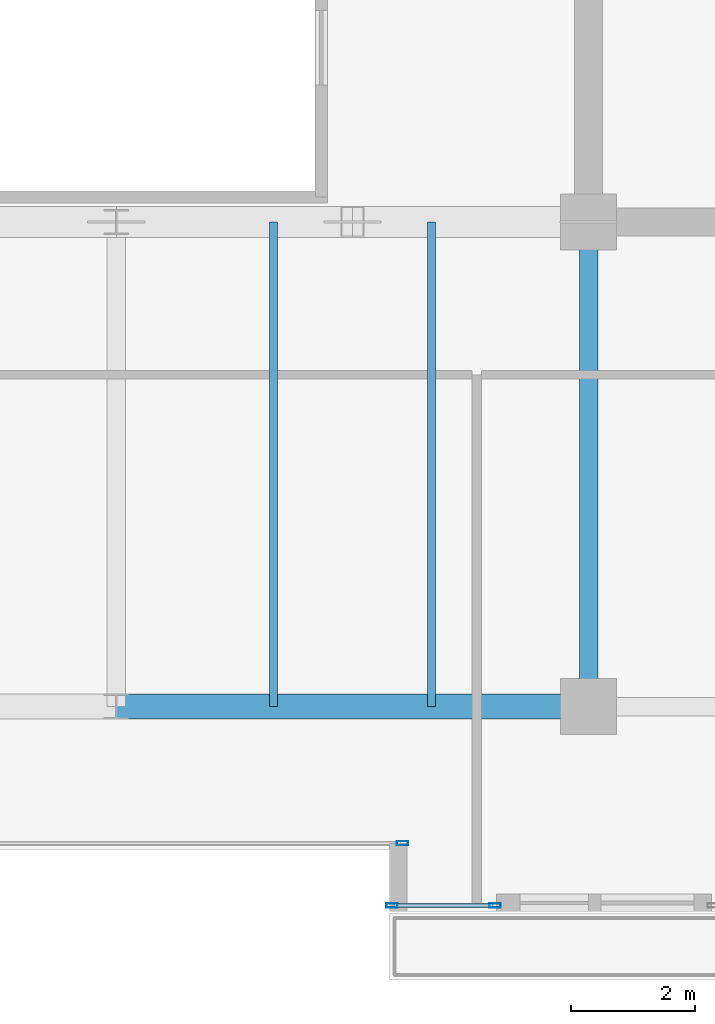
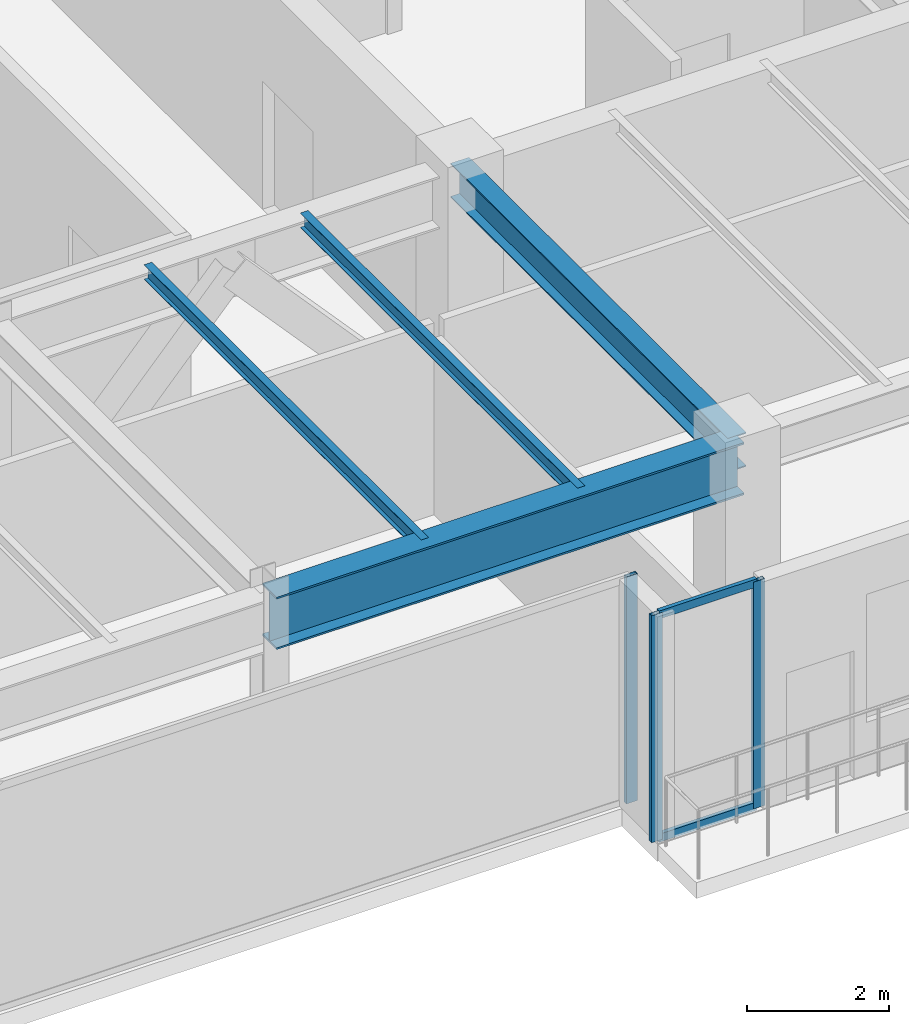
# One storey, part 11 of 34: 5 members, 4 beams, 2 elements without a shape of their own.
"""IFC4 building model written with IfcOpenShell, lengths in metres."""

import ifcopenshell
import ifcopenshell.guid

model = None  # the IFC model being written
_history = None  # IfcOwnerHistory: only IFC2X3 demands one
_inside = {}  # id of a spatial element -> (the spatial element, [elements in it])
_under = {}  # id of a project, library or spatial element -> (it, [spatial elements below it])
_declared = {}  # id of a project -> (the project, [libraries it declares])
_typed = {}  # id of a type object -> (the type object, [elements of that type])
_made_of = {}  # id of a material, layer set ... -> (it, [elements and type objects made of it])


def new_model(schema):
    """Start an empty IFC model of exactly this schema.

    Asked for "IFC4X3", IfcOpenShell would pick the latest addendum, in which some entities
    have other attributes; the version numbers below select the first issue.
    IFC2X3 requires an IfcOwnerHistory on every rooted entity: one is made here for all.
    """
    global model, _history
    if schema == "IFC4X3":
        model = ifcopenshell.file(schema_version=(4, 3, 0, 0))
    else:
        model = ifcopenshell.file(schema=schema)
    _inside.clear()
    _under.clear()
    _declared.clear()
    _typed.clear()
    _made_of.clear()
    _history = None
    if model.schema == "IFC2X3":
        org = make("IfcOrganization", Name="unknown")
        user = make(
            "IfcPersonAndOrganization",
            ThePerson=make("IfcPerson", FamilyName="unknown"),
            TheOrganization=org,
        )
        app = make(
            "IfcApplication",
            ApplicationDeveloper=org,
            Version="unknown",
            ApplicationFullName="unknown",
            ApplicationIdentifier="unknown",
        )
        _history = make(
            "IfcOwnerHistory",
            OwningUser=user,
            OwningApplication=app,
            ChangeAction="ADDED",
            CreationDate=0,
        )
    return model


def make(cls, **values):
    """One entity of the class cls with the attributes given. An attribute that is None is left unset."""
    return model.create_entity(
        cls, **{name: value for name, value in values.items() if value is not None}
    )


def rooted(cls, **values):
    """An entity with a GlobalId (a new one), such as an element, a storey or a relation."""
    return make(cls, GlobalId=ifcopenshell.guid.new(), OwnerHistory=_history, **values)


def si_unit(unit_type, name, prefix=None):
    """IfcSIUnit, for example si_unit("LENGTHUNIT", "METRE", prefix="MILLI")."""
    return make("IfcSIUnit", UnitType=unit_type, Prefix=prefix, Name=name)


def assignment(units):
    """IfcUnitAssignment: the units of a project."""
    return None if units is None else make("IfcUnitAssignment", Units=units)


def point(xyz):
    """IfcCartesianPoint."""
    return None if xyz is None else make("IfcCartesianPoint", Coordinates=xyz)


def direction(xyz):
    """IfcDirection."""
    return None if xyz is None else make("IfcDirection", DirectionRatios=xyz)


def frame(location, z_axis=None, x_axis=None):
    """IfcAxis2Placement3D, a coordinate frame: its origin and axes. An axis left out is left unset."""
    return make(
        "IfcAxis2Placement3D",
        Location=point(location),
        Axis=direction(z_axis),
        RefDirection=direction(x_axis),
    )


def frame_2d(location, x_axis=None):
    """IfcAxis2Placement2D, a coordinate frame in the plane: its origin and x axis."""
    return make(
        "IfcAxis2Placement2D", Location=point(location), RefDirection=direction(x_axis)
    )


def origin():
    """The frame at (0, 0, 0) with its axes left unset."""
    return frame((0.0, 0.0, 0.0))


def origin_2d():
    """The frame at (0, 0) in the plane with its x axis left unset."""
    return frame_2d((0.0, 0.0))


def place(relative_to, where):
    """IfcLocalPlacement: puts the frame where relative to a parent placement (None: the world)."""
    return make(
        "IfcLocalPlacement", PlacementRelTo=relative_to, RelativePlacement=where
    )


def context(
    kind, dimensions, precision=None, world=None, true_north=None, identifier=None
):
    """IfcGeometricRepresentationContext, for example the 3D "Model" context."""
    return make(
        "IfcGeometricRepresentationContext",
        ContextIdentifier=identifier,
        ContextType=kind,
        CoordinateSpaceDimension=dimensions,
        Precision=precision,
        WorldCoordinateSystem=world,
        TrueNorth=true_north,
    )


def subcontext(parent, identifier, kind, view, scale=None):
    """IfcGeometricRepresentationSubContext, for example "Body" below "Model"."""
    return make(
        "IfcGeometricRepresentationSubContext",
        ContextIdentifier=identifier,
        ContextType=kind,
        ParentContext=parent,
        TargetScale=scale,
        TargetView=view,
    )


def project(units=None, contexts=None):
    """IfcProject with its units and contexts."""
    return rooted(
        "IfcProject",
        Name="project",
        RepresentationContexts=contexts,
        UnitsInContext=assignment(units),
    )


def spatial(cls, under=None, at=None, **own):
    """A site, building, storey or space (cls), placed at a placement, below another one or the project."""
    s = rooted(cls, ObjectPlacement=at, **own)
    if under is not None:
        _under.setdefault(under.id(), (under, []))[1].append(s)
    return s


def profile(cls, at=None, kind="AREA", **sizes):
    """A parametric profile (cls). Its sizes go by their IFC names, for example OverallWidth=200.0."""
    return make(cls, ProfileType=kind, Position=at, **sizes)


def hollow_rectangle(**sizes):
    """IfcRectangleHollowProfileDef."""
    return profile("IfcRectangleHollowProfileDef", **sizes)


def i_section(**sizes):
    """IfcIShapeProfileDef."""
    return profile("IfcIShapeProfileDef", **sizes)


def extrude(swept, where, along, depth):
    """IfcExtrudedAreaSolid: the profile swept, set in the frame where, extruded along a direction by depth."""
    return make(
        "IfcExtrudedAreaSolid",
        SweptArea=swept,
        Position=where,
        ExtrudedDirection=direction(along),
        Depth=depth,
    )


def shape(context_of_items, identifier, shape_type, items):
    """IfcShapeRepresentation: the items that make up one representation, for example the "Body"."""
    return make(
        "IfcShapeRepresentation",
        ContextOfItems=context_of_items,
        RepresentationIdentifier=identifier,
        RepresentationType=shape_type,
        Items=items,
    )


def source(mapping_origin, context_of_items, identifier, shape_type, items):
    """IfcRepresentationMap: a shape defined once, which mapped items show again and again."""
    return make(
        "IfcRepresentationMap",
        MappingOrigin=mapping_origin,
        MappedRepresentation=shape(context_of_items, identifier, shape_type, items),
    )


def transform(
    local_origin,
    x_axis=None,
    y_axis=None,
    z_axis=None,
    scale=None,
    scale2=None,
    scale3=None,
    uniform=True,
):
    """IfcCartesianTransformationOperator3D, or its non-uniform kind. x_axis, y_axis, z_axis: its Axis1, 2, 3."""
    if uniform:
        return make(
            "IfcCartesianTransformationOperator3D",
            Axis1=direction(x_axis),
            Axis2=direction(y_axis),
            LocalOrigin=point(local_origin),
            Scale=scale,
            Axis3=direction(z_axis),
        )
    return make(
        "IfcCartesianTransformationOperator3DnonUniform",
        Axis1=direction(x_axis),
        Axis2=direction(y_axis),
        LocalOrigin=point(local_origin),
        Scale=scale,
        Axis3=direction(z_axis),
        Scale2=scale2,
        Scale3=scale3,
    )


def mapped(mapping_source, mapping_target):
    """IfcMappedItem: shows the shape of a source again, moved by a transform."""
    return make(
        "IfcMappedItem", MappingSource=mapping_source, MappingTarget=mapping_target
    )


def material(Name=None, Category=None):
    """IfcMaterial."""
    return make("IfcMaterial", Name=Name, Category=Category)


def layer(
    of_material, thickness, ventilated=None, Name=None, Category=None, Priority=None
):
    """IfcMaterialLayer: one layer of a wall or slab, of a material (None: an air gap)."""
    return make(
        "IfcMaterialLayer",
        Material=of_material,
        LayerThickness=thickness,
        IsVentilated=ventilated,
        Name=Name,
        Category=Category,
        Priority=Priority,
    )


def layer_set(layers, Name=None):
    """IfcMaterialLayerSet."""
    return make("IfcMaterialLayerSet", MaterialLayers=layers, LayerSetName=Name)


def material_profile(
    of_material, cross_section, Name=None, Category=None, Priority=None
):
    """IfcMaterialProfile: a cross section and its material."""
    return make(
        "IfcMaterialProfile",
        Name=Name,
        Material=of_material,
        Profile=cross_section,
        Priority=Priority,
        Category=Category,
    )


def profile_set(profiles, Name=None, composite=None):
    """IfcMaterialProfileSet."""
    return make(
        "IfcMaterialProfileSet",
        Name=Name,
        MaterialProfiles=profiles,
        CompositeProfile=composite,
    )


def made_of(thing, what):
    """Note that an element or type object is made of a material, layer set ...; save() writes the relation."""
    if what is not None:
        _made_of.setdefault(what.id(), (what, []))[1].append(thing)
    return thing


def type_object(cls, material=None, **own):
    """A type object (cls), such as IfcWallType, which elements share."""
    return made_of(rooted(cls, **own), material)


def type_shapes(of_type, sources):
    """Give a type object the sources (RepresentationMaps) that its elements show as mapped items."""
    of_type.RepresentationMaps = sources


def element(
    cls,
    number,
    at=None,
    inside=None,
    cuts=None,
    type_object=None,
    material=None,
    context=None,
    identifier="Body",
    shape_type=None,
    held_by="IfcProductDefinitionShape",
    body=None,
    shapes=None,
    **own,
):
    """One element of the class cls, such as IfcWall. Its Tag is "e" and its number.

    at: its placement. inside: the storey or other place that contains it. cuts: it is an
    opening in that element (IfcRelVoidsElement). A single representation is given by context,
    identifier, shape_type and body (its items); several are given by shapes. held_by: the class
    of the entity that holds the representations. save() writes the other relations.
    """
    e = rooted(cls, Tag="e%d" % number, ObjectPlacement=at, **own)
    if body is not None:
        shapes = [shape(context, identifier, shape_type, body)]
    if shapes is not None:
        e.Representation = make(held_by, Representations=shapes)
    if inside is not None:
        _inside.setdefault(inside.id(), (inside, []))[1].append(e)
    if cuts is not None:
        rooted(
            "IfcRelVoidsElement", RelatingBuildingElement=cuts, RelatedOpeningElement=e
        )
    if type_object is not None:
        _typed.setdefault(type_object.id(), (type_object, []))[1].append(e)
    return made_of(e, material)


def aggregate(whole, parts):
    """IfcRelAggregates: a whole, such as a stair, and the parts it consists of."""
    return rooted("IfcRelAggregates", RelatingObject=whole, RelatedObjects=parts)


def save(model, path):
    """Write the relations noted so far, then the file.

    IfcRelAggregates (storeys below a building ...), IfcRelContainedInSpatialStructure (elements
    in a storey), IfcRelDefinesByType, IfcRelAssociatesMaterial and IfcRelDeclares: one each for
    every whole, place, type object, material and project.
    """
    for whole, parts in _under.values():
        aggregate(whole, parts)
    for where, things in _inside.values():
        rooted(
            "IfcRelContainedInSpatialStructure",
            RelatedElements=things,
            RelatingStructure=where,
        )
    for kind, things in _typed.values():
        rooted("IfcRelDefinesByType", RelatedObjects=things, RelatingType=kind)
    for what, things in _made_of.values():
        rooted("IfcRelAssociatesMaterial", RelatedObjects=things, RelatingMaterial=what)
    for by, libraries in _declared.values():
        rooted("IfcRelDeclares", RelatingContext=by, RelatedDefinitions=libraries)
    model.write(path)


model = new_model("IFC4")

# Units and contexts
model_context = context("Model", 3, precision=1e-05, world=origin(), true_north=direction((0.0, 1.0)))
body_context = subcontext(model_context, "Body", "Model", "MODEL_VIEW")
ifc_project = project(units=[si_unit("LENGTHUNIT", "METRE"), si_unit("AREAUNIT", "SQUARE_METRE"), si_unit("VOLUMEUNIT", "CUBIC_METRE"), si_unit("PLANEANGLEUNIT", "RADIAN"), si_unit("MASSUNIT", "GRAM", prefix="KILO")], contexts=[model_context])

# Site, building, storey
site_placement = place(None, origin())
site = spatial("IfcSite", under=ifc_project, at=site_placement, CompositionType="ELEMENT")
building_placement = place(site_placement, origin())
building = spatial("IfcBuilding", under=site, at=building_placement, Name="Haelvirn Gate Laboratories", CompositionType="ELEMENT")
storey_placement = place(building_placement, frame((0.0, 0.0, 297.60009765625)))
storey = spatial("IfcBuildingStorey", under=building, at=storey_placement, Name="L71", CompositionType="ELEMENT", Elevation=297.60009765625)

# Beams
ifc_material_1 = material(Name="Steel SM420", Category="steel")
ifc_material_profile_1 = material_profile(ifc_material_1, i_section(OverallWidth=0.39990234375, OverallDepth=0.89990234375, WebThickness=0.01904296875, FlangeThickness=0.031982421875, at=origin_2d()), Name="H-900x400x19x32")
ifc_profile_set_1 = profile_set([ifc_material_profile_1], Name="Steel SM420")
beam_type_1 = type_object("IfcBeamType", Name="BM-TG-900", PredefinedType="BEAM", material=ifc_profile_set_1)
shared_shape_1 = source(origin(), body_context, "Body", "SweptSolid", [
    extrude(i_section(OverallWidth=0.39990234375, OverallDepth=0.89990234375, WebThickness=0.01904296875, FlangeThickness=0.031982421875, at=origin_2d()), origin(), (0.0, 0.0, 1.0), 7.60009765625),
])
type_shapes(beam_type_1, [shared_shape_1])
beam_1_placement = place(storey_placement, frame((45.0, 7.0, 3.449951171875), z_axis=(1.0, 0.0, 0.0), x_axis=(0.0, 1.0, 0.0)))
element("IfcBeam", 1, at=beam_1_placement, inside=storey, type_object=beam_type_1, Name="L71 Primary Girder Y7.0 (45.0-52.6)", PredefinedType="BEAM", context=body_context, shape_type="MappedRepresentation", body=[
    mapped(shared_shape_1, transform((0.0, 0.0, 0.0), scale=1.0)),
])
ifc_material_2 = material(Name="Steel SM355", Category="steel")
ifc_material_profile_2 = material_profile(ifc_material_2, i_section(OverallWidth=0.300048828125, OverallDepth=0.587890625, WebThickness=0.011962890625, FlangeThickness=0.02001953125, at=origin_2d()), Name="H-588x300x12x20")
ifc_profile_set_2 = profile_set([ifc_material_profile_2], Name="Steel SM355")
beam_type_2 = type_object("IfcBeamType", Name="BM-G-588", PredefinedType="BEAM", material=ifc_profile_set_2)
shared_shape_2 = source(origin(), body_context, "Body", "SweptSolid", [
    extrude(i_section(OverallWidth=0.300048828125, OverallDepth=0.587890625, WebThickness=0.011962890625, FlangeThickness=0.02001953125, at=origin_2d()), origin(), (0.0, 0.0, 1.0), 7.800048828125),
])
type_shapes(beam_type_2, [shared_shape_2])
beam_2_placement = place(storey_placement, frame((52.60009765625, 7.0, 3.60595703125), z_axis=(0.0, 1.0, 0.0), x_axis=(-1.0, 0.0, 0.0)))
element("IfcBeam", 2, at=beam_2_placement, inside=storey, type_object=beam_type_2, Name="L71 Frame Girder X52.6 (7.0-14.8)", PredefinedType="BEAM", context=body_context, shape_type="MappedRepresentation", body=[
    mapped(shared_shape_2, transform((0.0, 0.0, 0.0), scale=1.0)),
])
ifc_material_profile_3 = material_profile(ifc_material_2, i_section(OverallWidth=0.125, OverallDepth=0.25, WebThickness=0.006103515625, FlangeThickness=0.009033203125, at=origin_2d()), Name="H-250x125x6x9")
ifc_profile_set_3 = profile_set([ifc_material_profile_3], Name="Steel SM355")
beam_type_3 = type_object("IfcBeamType", Name="BM-J-250", PredefinedType="JOIST", material=ifc_profile_set_3)
shared_shape_3 = source(origin(), body_context, "Body", "SweptSolid", [
    extrude(i_section(OverallWidth=0.125, OverallDepth=0.25, WebThickness=0.006103515625, FlangeThickness=0.009033203125, at=origin_2d()), origin(), (0.0, 0.0, 1.0), 7.800048828125),
])
type_shapes(beam_type_3, [shared_shape_3])
for number, where, z_axis, x_axis, name in (
    (3, (47.530029296875, 7.0, 3.77490234375), (0.0, 1.0, 0.0), (-1.0, 0.0, 0.0), "L71 Composite Lab Joist South X47.53"),
    (4, (50.070068359375, 7.0, 3.77490234375), (0.0, 1.0, 0.0), (-1.0, 0.0, 0.0), "L71 Composite Lab Joist South X50.07"),
):
    element("IfcBeam", number, at=place(storey_placement, frame(where, z_axis=z_axis, x_axis=x_axis)), inside=storey, type_object=beam_type_3, Name=name, PredefinedType="JOIST", context=body_context, shape_type="MappedRepresentation", body=[
        mapped(shared_shape_3, transform((0.0, 0.0, 0.0), scale=1.0)),
    ])

# Curtain wall, member
ifc_material_3 = material(Name="Anodised bronze unitised aluminium & triple low-E glass", Category="aluminium")
ifc_layer = layer(ifc_material_3, 0.176025390625, Name="CW-SYS-4")
ifc_layer_set = layer_set([ifc_layer], Name="Anodised bronze unitised aluminium & triple low-E glass")
curtain_wall_type = type_object("IfcCurtainWallType", Name="CW-SYS-4", PredefinedType="NOTDEFINED", material=ifc_layer_set)
curtain_wall_1_placement = place(storey_placement, origin())
curtain_wall_1 = element("IfcCurtainWall", 5, at=curtain_wall_1_placement, inside=storey, type_object=curtain_wall_type, Name="L71 Unitised Curtain Wall CW-L71-P0-E02-1", PredefinedType="NOTDEFINED")
ifc_material_4 = material(Name="Extruded aluminium 6063-T6 (anodised bronze)", Category="aluminium")
ifc_material_profile_4 = material_profile(ifc_material_4, hollow_rectangle(XDim=0.070068359375, YDim=0.179931640625, WallThickness=0.0048828125, at=origin_2d()), Name="CWM-180x70x5")
ifc_profile_set_4 = profile_set([ifc_material_profile_4], Name="Extruded aluminium 6063-T6 (anodised bronze)")
member_type_1 = type_object("IfcMemberType", Name="CWM-T180", PredefinedType="MULLION", material=ifc_profile_set_4)
shared_shape_4 = source(origin(), body_context, "Body", "SweptSolid", [
    extrude(hollow_rectangle(XDim=0.070068359375, YDim=0.179931640625, WallThickness=0.0048828125, at=origin_2d()), origin(), (0.0, 0.0, 1.0), 3.89990234375),
])
type_shapes(member_type_1, [shared_shape_4])
member_1_placement = place(storey_placement, frame((49.60498046875, 4.800048828125, 0.0), z_axis=(0.0, 0.0, 1.0), x_axis=(0.0, 1.0, 0.0)))
member_1 = element("IfcMember", 6, at=member_1_placement, type_object=member_type_1, Name="CW4 mullion 3", PredefinedType="MULLION", context=body_context, shape_type="MappedRepresentation", body=[
    mapped(shared_shape_4, transform((0.0, 0.0, 0.0), scale=1.0)),
])
aggregate(curtain_wall_1, [member_1])

# Curtain wall, members
curtain_wall_2_placement = place(storey_placement, origin())
curtain_wall_2 = element("IfcCurtainWall", 7, at=curtain_wall_2_placement, inside=storey, type_object=curtain_wall_type, Name="L71 Unitised Curtain Wall CW-L71-P0-E04-1", PredefinedType="NOTDEFINED")
member_2_placement = place(storey_placement, frame((49.43505859375, 3.800048828125, 0.0), z_axis=(0.0, 0.0, 1.0), x_axis=(0.0, 1.0, 0.0)))
member_2 = element("IfcMember", 8, at=member_2_placement, type_object=member_type_1, Name="CW4 mullion 1", PredefinedType="MULLION", context=body_context, shape_type="MappedRepresentation", body=[
    mapped(shared_shape_4, transform((0.0, 0.0, 0.0), scale=1.0)),
])
member_3_placement = place(storey_placement, frame((51.094970703125, 3.800048828125, 0.0), z_axis=(0.0, 0.0, 1.0), x_axis=(0.0, 1.0, 0.0)))
member_3 = element("IfcMember", 9, at=member_3_placement, type_object=member_type_1, Name="CW4 mullion 2", PredefinedType="MULLION", context=body_context, shape_type="MappedRepresentation", body=[
    mapped(shared_shape_4, transform((0.0, 0.0, 0.0), scale=1.0)),
])
ifc_material_profile_5 = material_profile(ifc_material_4, hollow_rectangle(XDim=0.06494140625, YDim=0.139892578125, WallThickness=0.00390625, at=origin_2d()), Name="CWT-140x65x4")
ifc_profile_set_5 = profile_set([ifc_material_profile_5], Name="Extruded aluminium 6063-T6 (anodised bronze)")
member_type_2 = type_object("IfcMemberType", Name="CWT-T140", PredefinedType="USERDEFINED", material=ifc_profile_set_5)
shared_shape_5 = source(origin(), body_context, "Body", "SweptSolid", [
    extrude(hollow_rectangle(XDim=0.06494140625, YDim=0.139892578125, WallThickness=0.00390625, at=origin_2d()), origin(), (0.0, 0.0, 1.0), 1.590087890625),
])
type_shapes(member_type_2, [shared_shape_5])
member_4_placement = place(storey_placement, frame((49.469970703125, 3.800048828125, 0.032470703125), z_axis=(1.0, 0.0, 0.0), x_axis=(0.0, 1.0, 0.0)))
member_4 = element("IfcMember", 10, at=member_4_placement, type_object=member_type_2, Name="CW4 transom 1.1", ObjectType="TRANSOM", PredefinedType="USERDEFINED", context=body_context, shape_type="MappedRepresentation", body=[
    mapped(shared_shape_5, transform((0.0, 0.0, 0.0), scale=1.0)),
])
member_5_placement = place(storey_placement, frame((49.469970703125, 3.800048828125, 3.867431640625), z_axis=(1.0, 0.0, 0.0), x_axis=(0.0, 1.0, 0.0)))
member_5 = element("IfcMember", 11, at=member_5_placement, type_object=member_type_2, Name="CW4 transom 1.2", ObjectType="TRANSOM", PredefinedType="USERDEFINED", context=body_context, shape_type="MappedRepresentation", body=[
    mapped(shared_shape_5, transform((0.0, 0.0, 0.0), scale=1.0)),
])
aggregate(curtain_wall_2, [member_2, member_3, member_4, member_5])

save(model, "model.ifc")
